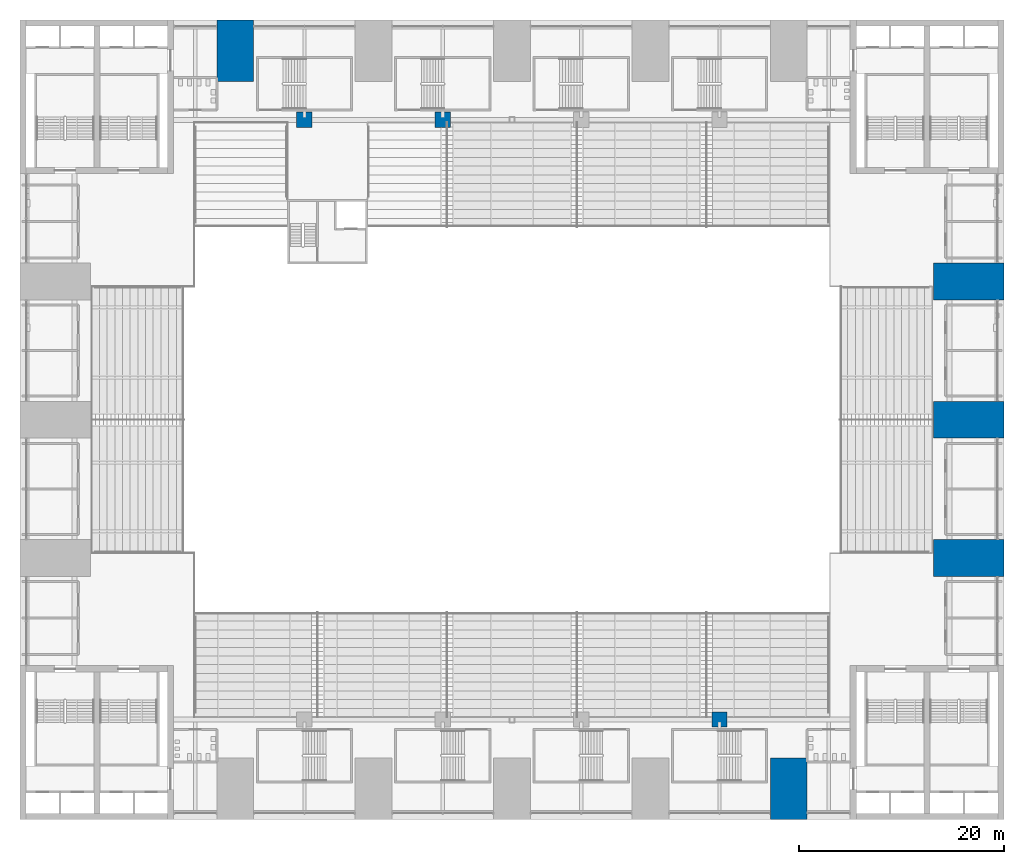
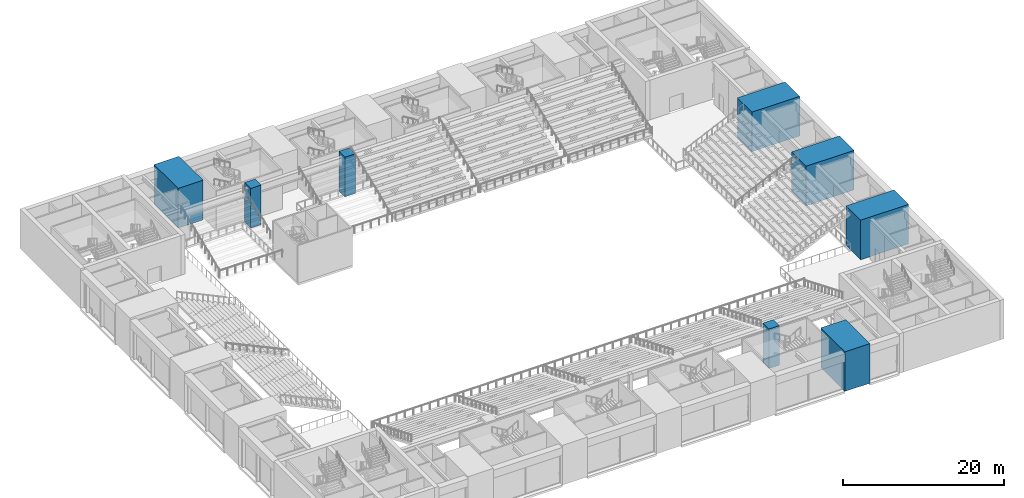
# One storey, part 2 of 61: 8 columns.
"""IFC4 building model written with IfcOpenShell, lengths in metres."""

from ifc_helpers import new_model, si_unit, direction, frame, origin, origin_2d, place, context, subcontext, project, spatial, rectangle, extrude, material, material_profile, profile_set, type_object, element, save


model = new_model("IFC4")

# Units and contexts
model_context = context("Model", 3, precision=1e-05, world=origin(), true_north=direction((0.0, 1.0)))
body_context = subcontext(model_context, "Body", "Model", "MODEL_VIEW")
ifc_project = project(units=[si_unit("LENGTHUNIT", "METRE"), si_unit("AREAUNIT", "SQUARE_METRE"), si_unit("VOLUMEUNIT", "CUBIC_METRE"), si_unit("PLANEANGLEUNIT", "RADIAN"), si_unit("MASSUNIT", "GRAM", prefix="KILO")], contexts=[model_context])

# Site, building, storey
site_placement = place(None, origin())
site = spatial("IfcSite", under=ifc_project, at=site_placement, CompositionType="ELEMENT")
building_placement = place(site_placement, origin())
building = spatial("IfcBuilding", under=site, at=building_placement, Name="Corbelhall Arena Tower", CompositionType="ELEMENT")
storey_placement = place(building_placement, frame((0.0, 0.0, 31.0)))
storey = spatial("IfcBuildingStorey", under=building, at=storey_placement, Name="L04", CompositionType="ELEMENT", Elevation=31.0)

# Columns
ifc_material = material(Name="Concrete C80/95", Category="concrete")
ifc_material_profile_1 = material_profile(ifc_material, rectangle(XDim=3.60009765625, YDim=6.0, at=origin_2d()))
ifc_profile_set_1 = profile_set([ifc_material_profile_1], Name="Concrete C80/95")
column_type_1 = type_object("IfcColumnType", Name="PO-PIER-L04", PredefinedType="COLUMN", material=ifc_profile_set_1)
for number, where, z_axis, x_axis, name in (
    (1, (-27.0, 36.0, 0.0), (0.0, 0.0, 1.0), (1.0, 0.0, 0.0), "PIER N-27.0 L04"),
    (2, (27.0, -36.0, 0.0), (0.0, 0.0, 1.0), (1.0, 0.0, 0.0), "PIER S+27.0 L04"),
):
    element("IfcColumn", number, at=place(storey_placement, frame(where, z_axis=z_axis, x_axis=x_axis)), inside=storey, type_object=column_type_1, Name=name, PredefinedType="COLUMN", context=body_context, shape_type="SweptSolid", body=[
        extrude(rectangle(XDim=3.60009765625, YDim=6.0, at=origin_2d()), origin(), (0.0, 0.0, 1.0), 6.0),
    ])
ifc_material_profile_2 = material_profile(ifc_material, rectangle(XDim=3.60009765625, YDim=6.8798828125, at=origin_2d()))
ifc_profile_set_2 = profile_set([ifc_material_profile_2], Name="Concrete C80/95")
column_type_2 = type_object("IfcColumnType", Name="PO-PIER-L04B", PredefinedType="COLUMN", material=ifc_profile_set_2)
for number, where, z_axis, x_axis, name in (
    (3, (44.56005859375, -13.5, 0.0), (0.0, 0.0, 1.0), (0.0, 1.0, 0.0), "PIER E-13.5 L04"),
    (4, (44.56005859375, 0.0, 0.0), (0.0, 0.0, 1.0), (0.0, 1.0, 0.0), "PIER E+0.0 L04"),
    (5, (44.56005859375, 13.5, 0.0), (0.0, 0.0, 1.0), (0.0, 1.0, 0.0), "PIER E+13.5 L04"),
):
    element("IfcColumn", number, at=place(storey_placement, frame(where, z_axis=z_axis, x_axis=x_axis)), inside=storey, type_object=column_type_2, Name=name, PredefinedType="COLUMN", context=body_context, shape_type="SweptSolid", body=[
        extrude(rectangle(XDim=3.60009765625, YDim=6.8798828125, at=origin_2d()), origin(), (0.0, 0.0, 1.0), 6.0),
    ])
ifc_material_profile_3 = material_profile(ifc_material, rectangle(XDim=1.5, YDim=1.5, at=origin_2d()))
ifc_profile_set_3 = profile_set([ifc_material_profile_3], Name="Concrete C80/95")
column_type_3 = type_object("IfcColumnType", Name="PO-RINGCOL-1500", PredefinedType="COLUMN", material=ifc_profile_set_3)
for number, where, z_axis, x_axis, name in (
    (6, (-20.25, 29.25, 0.0), (0.0, 0.0, 1.0), (1.0, 0.0, 0.0), "RING COLUMN -20.25 +29.25 L04"),
    (7, (-6.75, 29.25, 0.0), (0.0, 0.0, 1.0), (1.0, 0.0, 0.0), "RING COLUMN -6.75 +29.25 L04"),
    (8, (20.25, -29.25, 0.0), (0.0, 0.0, 1.0), (1.0, 0.0, 0.0), "RING COLUMN +20.25 -29.25 L04"),
):
    element("IfcColumn", number, at=place(storey_placement, frame(where, z_axis=z_axis, x_axis=x_axis)), inside=storey, type_object=column_type_3, Name=name, PredefinedType="COLUMN", context=body_context, shape_type="SweptSolid", body=[
        extrude(rectangle(XDim=1.5, YDim=1.5, at=origin_2d()), origin(), (0.0, 0.0, 1.0), 6.0),
    ])

save(model, "model.ifc")
